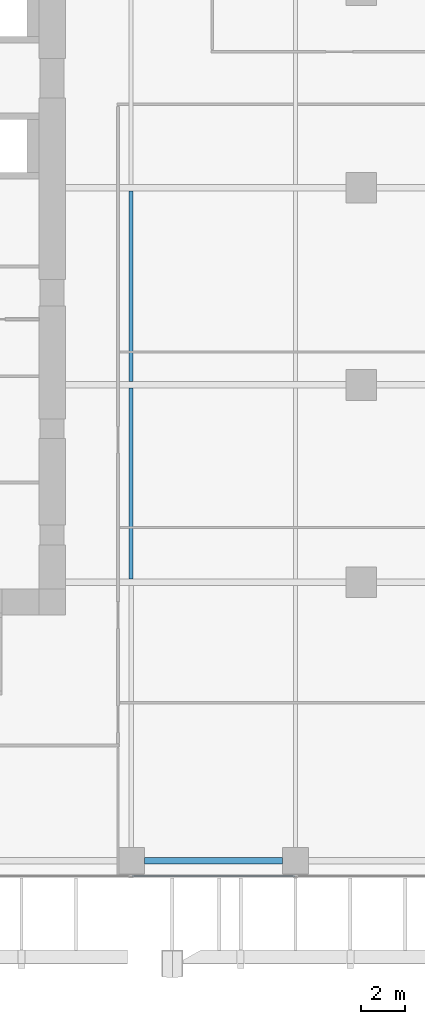
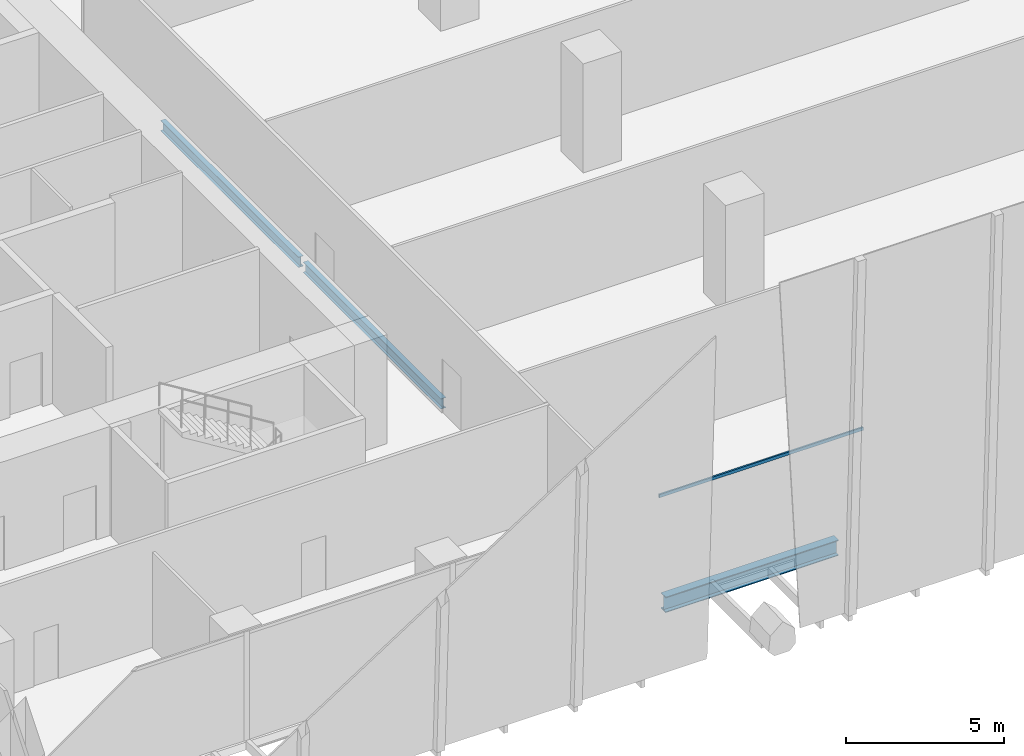
# One storey, part 6 of 35: 3 beams, 1 member, 1 element without a shape of its own.
"""IFC4 building model written with IfcOpenShell, lengths in metres."""

from ifc_helpers import new_model, si_unit, direction, frame, origin, origin_2d, place, context, subcontext, project, spatial, hollow_rectangle, i_section, extrude, source, transform, mapped, material, material_profile, profile_set, type_object, element, aggregate, save


model = new_model("IFC4")

# Units and contexts
model_context = context("Model", 3, precision=1e-05, world=origin(), true_north=direction((0.0, 1.0)))
body_context = subcontext(model_context, "Body", "Model", "MODEL_VIEW")
ifc_project = project(units=[si_unit("LENGTHUNIT", "METRE"), si_unit("AREAUNIT", "SQUARE_METRE"), si_unit("VOLUMEUNIT", "CUBIC_METRE"), si_unit("PLANEANGLEUNIT", "RADIAN"), si_unit("MASSUNIT", "GRAM", prefix="KILO")], contexts=[model_context])

# Site, building, storey
site_placement = place(None, origin())
site = spatial("IfcSite", under=ifc_project, at=site_placement, CompositionType="ELEMENT")
building_placement = place(site_placement, origin())
building = spatial("IfcBuilding", under=site, at=building_placement, Name="Khomas Fold Tower", CompositionType="ELEMENT")
storey_placement = place(building_placement, frame((0.0, 0.0, 87.0)))
storey = spatial("IfcBuildingStorey", under=building, at=storey_placement, Name="L18", CompositionType="ELEMENT", Elevation=87.0)

# Beams
ifc_material_1 = material(Name="Steel S355", Category="steel")
ifc_material_profile_1 = material_profile(ifc_material_1, i_section(OverallWidth=0.179931640625, OverallDepth=0.39990234375, WebThickness=0.008544921875, FlangeThickness=0.013427734375, at=origin_2d()), Name="IPE 400")
ifc_profile_set_1 = profile_set([ifc_material_profile_1], Name="Steel S355")
beam_type_1 = type_object("IfcBeamType", Name="IPE 400 beam JB3", PredefinedType="BEAM", material=ifc_profile_set_1)
shared_shape_1 = source(origin(), body_context, "Body", "SweptSolid", [
    extrude(i_section(OverallWidth=0.179931640625, OverallDepth=0.39990234375, WebThickness=0.008544921875, FlangeThickness=0.013427734375, at=origin_2d()), origin(), (0.0, 0.0, 1.0), 8.7001953125),
])
for number, where, z_axis, x_axis, name in (
    (1, (27.0, 13.64990234375, -0.5), (0.0, 1.0, 0.0), (-1.0, 0.0, 0.0), "JB3"),
    (2, (27.0, 22.64990234375, -0.5), (0.0, 1.0, 0.0), (-1.0, 0.0, 0.0), "JB3"),
):
    element("IfcBeam", number, at=place(storey_placement, frame(where, z_axis=z_axis, x_axis=x_axis)), inside=storey, type_object=beam_type_1, Name=name, PredefinedType="BEAM", context=body_context, shape_type="MappedRepresentation", body=[
        mapped(shared_shape_1, transform((0.0, 0.0, 0.0))),
    ])
ifc_material_2 = material(Name="Steel S355", Category="steel")
ifc_material_profile_2 = material_profile(ifc_material_2, i_section(OverallWidth=0.300048828125, OverallDepth=0.60009765625, WebThickness=0.015380859375, FlangeThickness=0.030029296875, at=origin_2d()), Name="HE 600 B")
ifc_profile_set_2 = profile_set([ifc_material_profile_2], Name="Steel S355")
beam_type_2 = type_object("IfcBeamType", Name="HE 600 B spandrel SB1", PredefinedType="SPANDREL", material=ifc_profile_set_2)
shared_shape_2 = source(origin(), body_context, "Body", "SweptSolid", [
    extrude(i_section(OverallWidth=0.300048828125, OverallDepth=0.60009765625, WebThickness=0.015380859375, FlangeThickness=0.030029296875, at=origin_2d()), origin(), (0.0, 0.0, 1.0), 6.2998046875),
])
beam_placement = place(storey_placement, frame((27.60009765625, 0.800048828125, -0.60009765625), z_axis=(1.0, 0.0, 0.0), x_axis=(0.0, 1.0, 0.0)))
element("IfcBeam", 3, at=beam_placement, inside=storey, type_object=beam_type_2, Name="SB1", PredefinedType="SPANDREL", context=body_context, shape_type="MappedRepresentation", body=[
    mapped(shared_shape_2, transform((0.0, 0.0, 0.0))),
])

# Curtain wall, member
ifc_material_3 = material(Name="Aluminium framed double glazing", Category="aluminium")
curtain_wall_type = type_object("IfcCurtainWallType", Name="SK-Unitised clear-glass wall, growing floors CW1", PredefinedType="NOTDEFINED", material=ifc_material_3)
curtain_wall_placement = place(storey_placement, origin())
curtain_wall = element("IfcCurtainWall", 4, at=curtain_wall_placement, inside=storey, type_object=curtain_wall_type, Name="CW1 run L18 00-0", PredefinedType="NOTDEFINED")
ifc_material_4 = material(Name="Aluminium", Category="aluminium")
ifc_material_profile_3 = material_profile(ifc_material_4, hollow_rectangle(XDim=0.06005859375, YDim=0.1201171875, WallThickness=0.00390625, at=origin_2d()), Name="SK-Unitised clear-glass wall, growing floors transom CW1-T")
ifc_profile_set_3 = profile_set([ifc_material_profile_3], Name="Aluminium")
member_type = type_object("IfcMemberType", Name="SK-Unitised clear-glass wall, growing floors transom CW1-T", PredefinedType="USERDEFINED", material=ifc_profile_set_3)
shared_shape_3 = source(origin(), body_context, "Body", "SweptSolid", [
    extrude(hollow_rectangle(XDim=0.06005859375, YDim=0.1201171875, WallThickness=0.00390625, at=origin_2d()), origin(), (0.0, 0.0, 1.0), 7.43994140625),
])
member_placement = place(storey_placement, frame((27.030029296875, 0.10009765625, 4.139892578125), z_axis=(1.0, 0.0, 0.0), x_axis=(0.0, 1.0, 0.0)))
member = element("IfcMember", 5, at=member_placement, type_object=member_type, Name="CW1 transom 5", ObjectType="TRANSOM", PredefinedType="USERDEFINED", context=body_context, shape_type="MappedRepresentation", body=[
    mapped(shared_shape_3, transform((0.0, 0.0, 0.0))),
])
aggregate(curtain_wall, [member])

save(model, "model.ifc")
